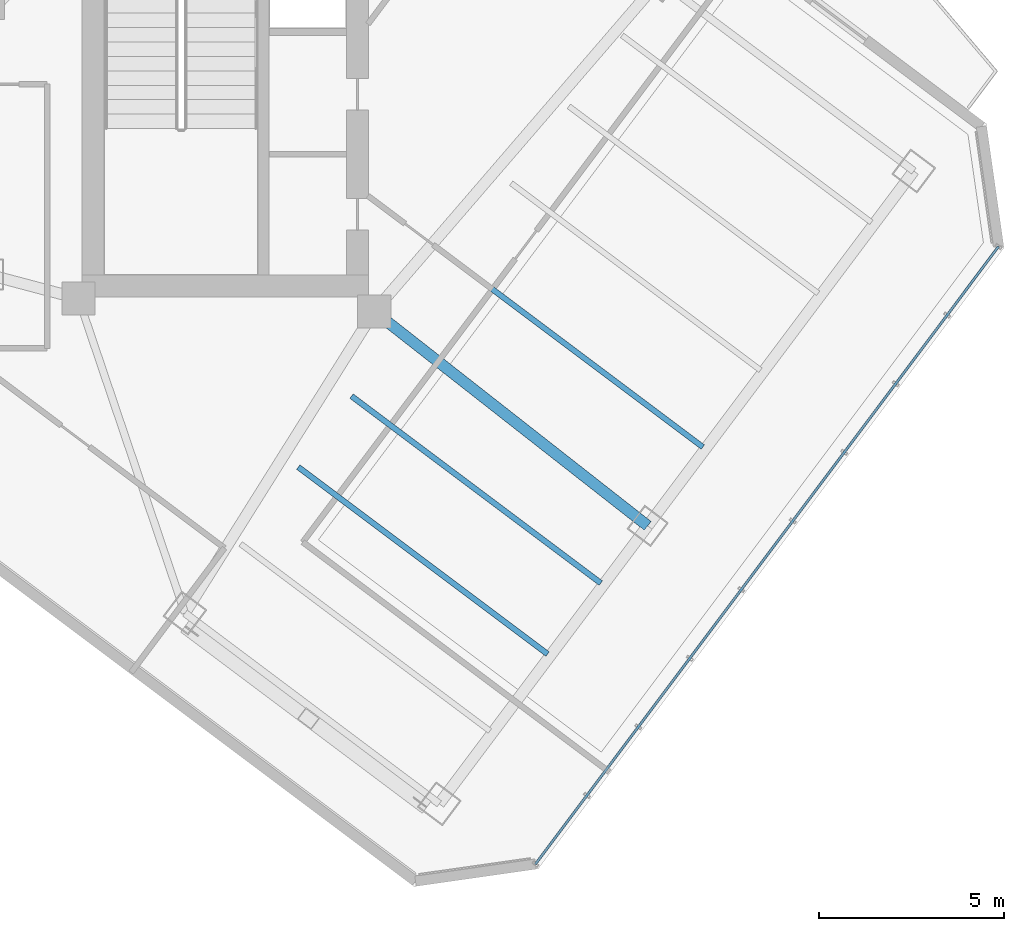
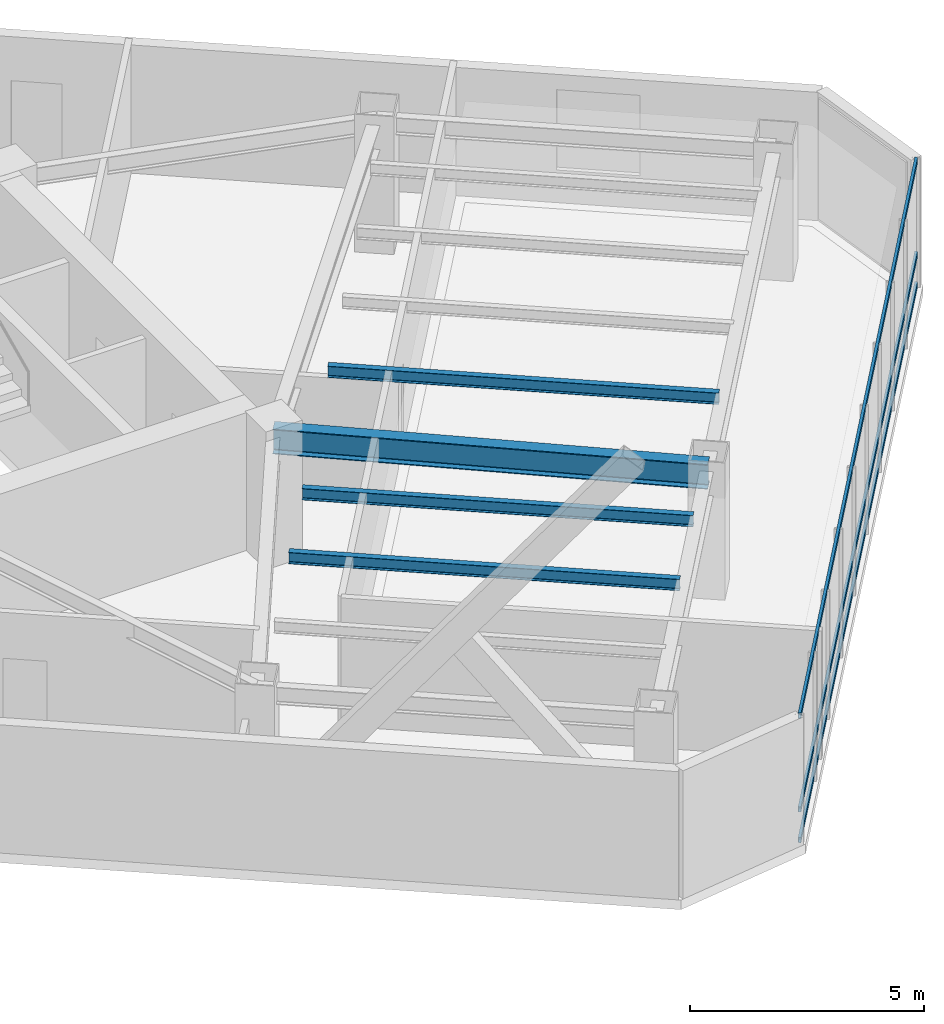
# One storey, part 12 of 26: 4 beams, 3 members, 1 element without a shape of its own.
"""IFC4 building model written with IfcOpenShell, lengths in metres."""

import ifcopenshell
import ifcopenshell.guid

model = None  # the IFC model being written
_history = None  # IfcOwnerHistory: only IFC2X3 demands one
_inside = {}  # id of a spatial element -> (the spatial element, [elements in it])
_under = {}  # id of a project, library or spatial element -> (it, [spatial elements below it])
_declared = {}  # id of a project -> (the project, [libraries it declares])
_typed = {}  # id of a type object -> (the type object, [elements of that type])
_made_of = {}  # id of a material, layer set ... -> (it, [elements and type objects made of it])


def new_model(schema):
    """Start an empty IFC model of exactly this schema.

    Asked for "IFC4X3", IfcOpenShell would pick the latest addendum, in which some entities
    have other attributes; the version numbers below select the first issue.
    IFC2X3 requires an IfcOwnerHistory on every rooted entity: one is made here for all.
    """
    global model, _history
    if schema == "IFC4X3":
        model = ifcopenshell.file(schema_version=(4, 3, 0, 0))
    else:
        model = ifcopenshell.file(schema=schema)
    _inside.clear()
    _under.clear()
    _declared.clear()
    _typed.clear()
    _made_of.clear()
    _history = None
    if model.schema == "IFC2X3":
        org = make("IfcOrganization", Name="unknown")
        user = make(
            "IfcPersonAndOrganization",
            ThePerson=make("IfcPerson", FamilyName="unknown"),
            TheOrganization=org,
        )
        app = make(
            "IfcApplication",
            ApplicationDeveloper=org,
            Version="unknown",
            ApplicationFullName="unknown",
            ApplicationIdentifier="unknown",
        )
        _history = make(
            "IfcOwnerHistory",
            OwningUser=user,
            OwningApplication=app,
            ChangeAction="ADDED",
            CreationDate=0,
        )
    return model


def make(cls, **values):
    """One entity of the class cls with the attributes given. An attribute that is None is left unset."""
    return model.create_entity(
        cls, **{name: value for name, value in values.items() if value is not None}
    )


def rooted(cls, **values):
    """An entity with a GlobalId (a new one), such as an element, a storey or a relation."""
    return make(cls, GlobalId=ifcopenshell.guid.new(), OwnerHistory=_history, **values)


def si_unit(unit_type, name, prefix=None):
    """IfcSIUnit, for example si_unit("LENGTHUNIT", "METRE", prefix="MILLI")."""
    return make("IfcSIUnit", UnitType=unit_type, Prefix=prefix, Name=name)


def assignment(units):
    """IfcUnitAssignment: the units of a project."""
    return None if units is None else make("IfcUnitAssignment", Units=units)


def point(xyz):
    """IfcCartesianPoint."""
    return None if xyz is None else make("IfcCartesianPoint", Coordinates=xyz)


def direction(xyz):
    """IfcDirection."""
    return None if xyz is None else make("IfcDirection", DirectionRatios=xyz)


def frame(location, z_axis=None, x_axis=None):
    """IfcAxis2Placement3D, a coordinate frame: its origin and axes. An axis left out is left unset."""
    return make(
        "IfcAxis2Placement3D",
        Location=point(location),
        Axis=direction(z_axis),
        RefDirection=direction(x_axis),
    )


def frame_2d(location, x_axis=None):
    """IfcAxis2Placement2D, a coordinate frame in the plane: its origin and x axis."""
    return make(
        "IfcAxis2Placement2D", Location=point(location), RefDirection=direction(x_axis)
    )


def origin():
    """The frame at (0, 0, 0) with its axes left unset."""
    return frame((0.0, 0.0, 0.0))


def origin_2d():
    """The frame at (0, 0) in the plane with its x axis left unset."""
    return frame_2d((0.0, 0.0))


def place(relative_to, where):
    """IfcLocalPlacement: puts the frame where relative to a parent placement (None: the world)."""
    return make(
        "IfcLocalPlacement", PlacementRelTo=relative_to, RelativePlacement=where
    )


def context(
    kind, dimensions, precision=None, world=None, true_north=None, identifier=None
):
    """IfcGeometricRepresentationContext, for example the 3D "Model" context."""
    return make(
        "IfcGeometricRepresentationContext",
        ContextIdentifier=identifier,
        ContextType=kind,
        CoordinateSpaceDimension=dimensions,
        Precision=precision,
        WorldCoordinateSystem=world,
        TrueNorth=true_north,
    )


def subcontext(parent, identifier, kind, view, scale=None):
    """IfcGeometricRepresentationSubContext, for example "Body" below "Model"."""
    return make(
        "IfcGeometricRepresentationSubContext",
        ContextIdentifier=identifier,
        ContextType=kind,
        ParentContext=parent,
        TargetScale=scale,
        TargetView=view,
    )


def project(units=None, contexts=None):
    """IfcProject with its units and contexts."""
    return rooted(
        "IfcProject",
        Name="project",
        RepresentationContexts=contexts,
        UnitsInContext=assignment(units),
    )


def spatial(cls, under=None, at=None, **own):
    """A site, building, storey or space (cls), placed at a placement, below another one or the project."""
    s = rooted(cls, ObjectPlacement=at, **own)
    if under is not None:
        _under.setdefault(under.id(), (under, []))[1].append(s)
    return s


def profile(cls, at=None, kind="AREA", **sizes):
    """A parametric profile (cls). Its sizes go by their IFC names, for example OverallWidth=200.0."""
    return make(cls, ProfileType=kind, Position=at, **sizes)


def hollow_rectangle(**sizes):
    """IfcRectangleHollowProfileDef."""
    return profile("IfcRectangleHollowProfileDef", **sizes)


def i_section(**sizes):
    """IfcIShapeProfileDef."""
    return profile("IfcIShapeProfileDef", **sizes)


def extrude(swept, where, along, depth):
    """IfcExtrudedAreaSolid: the profile swept, set in the frame where, extruded along a direction by depth."""
    return make(
        "IfcExtrudedAreaSolid",
        SweptArea=swept,
        Position=where,
        ExtrudedDirection=direction(along),
        Depth=depth,
    )


def shape(context_of_items, identifier, shape_type, items):
    """IfcShapeRepresentation: the items that make up one representation, for example the "Body"."""
    return make(
        "IfcShapeRepresentation",
        ContextOfItems=context_of_items,
        RepresentationIdentifier=identifier,
        RepresentationType=shape_type,
        Items=items,
    )


def material(Name=None, Category=None):
    """IfcMaterial."""
    return make("IfcMaterial", Name=Name, Category=Category)


def layer(
    of_material, thickness, ventilated=None, Name=None, Category=None, Priority=None
):
    """IfcMaterialLayer: one layer of a wall or slab, of a material (None: an air gap)."""
    return make(
        "IfcMaterialLayer",
        Material=of_material,
        LayerThickness=thickness,
        IsVentilated=ventilated,
        Name=Name,
        Category=Category,
        Priority=Priority,
    )


def layer_set(layers, Name=None):
    """IfcMaterialLayerSet."""
    return make("IfcMaterialLayerSet", MaterialLayers=layers, LayerSetName=Name)


def material_profile(
    of_material, cross_section, Name=None, Category=None, Priority=None
):
    """IfcMaterialProfile: a cross section and its material."""
    return make(
        "IfcMaterialProfile",
        Name=Name,
        Material=of_material,
        Profile=cross_section,
        Priority=Priority,
        Category=Category,
    )


def profile_set(profiles, Name=None, composite=None):
    """IfcMaterialProfileSet."""
    return make(
        "IfcMaterialProfileSet",
        Name=Name,
        MaterialProfiles=profiles,
        CompositeProfile=composite,
    )


def made_of(thing, what):
    """Note that an element or type object is made of a material, layer set ...; save() writes the relation."""
    if what is not None:
        _made_of.setdefault(what.id(), (what, []))[1].append(thing)
    return thing


def type_object(cls, material=None, **own):
    """A type object (cls), such as IfcWallType, which elements share."""
    return made_of(rooted(cls, **own), material)


def element(
    cls,
    number,
    at=None,
    inside=None,
    cuts=None,
    type_object=None,
    material=None,
    context=None,
    identifier="Body",
    shape_type=None,
    held_by="IfcProductDefinitionShape",
    body=None,
    shapes=None,
    **own,
):
    """One element of the class cls, such as IfcWall. Its Tag is "e" and its number.

    at: its placement. inside: the storey or other place that contains it. cuts: it is an
    opening in that element (IfcRelVoidsElement). A single representation is given by context,
    identifier, shape_type and body (its items); several are given by shapes. held_by: the class
    of the entity that holds the representations. save() writes the other relations.
    """
    e = rooted(cls, Tag="e%d" % number, ObjectPlacement=at, **own)
    if body is not None:
        shapes = [shape(context, identifier, shape_type, body)]
    if shapes is not None:
        e.Representation = make(held_by, Representations=shapes)
    if inside is not None:
        _inside.setdefault(inside.id(), (inside, []))[1].append(e)
    if cuts is not None:
        rooted(
            "IfcRelVoidsElement", RelatingBuildingElement=cuts, RelatedOpeningElement=e
        )
    if type_object is not None:
        _typed.setdefault(type_object.id(), (type_object, []))[1].append(e)
    return made_of(e, material)


def aggregate(whole, parts):
    """IfcRelAggregates: a whole, such as a stair, and the parts it consists of."""
    return rooted("IfcRelAggregates", RelatingObject=whole, RelatedObjects=parts)


def save(model, path):
    """Write the relations noted so far, then the file.

    IfcRelAggregates (storeys below a building ...), IfcRelContainedInSpatialStructure (elements
    in a storey), IfcRelDefinesByType, IfcRelAssociatesMaterial and IfcRelDeclares: one each for
    every whole, place, type object, material and project.
    """
    for whole, parts in _under.values():
        aggregate(whole, parts)
    for where, things in _inside.values():
        rooted(
            "IfcRelContainedInSpatialStructure",
            RelatedElements=things,
            RelatingStructure=where,
        )
    for kind, things in _typed.values():
        rooted("IfcRelDefinesByType", RelatedObjects=things, RelatingType=kind)
    for what, things in _made_of.values():
        rooted("IfcRelAssociatesMaterial", RelatedObjects=things, RelatingMaterial=what)
    for by, libraries in _declared.values():
        rooted("IfcRelDeclares", RelatingContext=by, RelatedDefinitions=libraries)
    model.write(path)


model = new_model("IFC4")

# Units and contexts
model_context = context("Model", 3, precision=1e-05, world=origin(), true_north=direction((0.0, 1.0)))
body_context = subcontext(model_context, "Body", "Model", "MODEL_VIEW")
ifc_project = project(units=[si_unit("LENGTHUNIT", "METRE"), si_unit("AREAUNIT", "SQUARE_METRE"), si_unit("VOLUMEUNIT", "CUBIC_METRE"), si_unit("PLANEANGLEUNIT", "RADIAN"), si_unit("MASSUNIT", "GRAM", prefix="KILO")], contexts=[model_context])

# Site, building, storey
site_placement = place(None, origin())
site = spatial("IfcSite", under=ifc_project, at=site_placement, CompositionType="ELEMENT")
building_placement = place(site_placement, origin())
building = spatial("IfcBuilding", under=site, at=building_placement, Name="Hatsunagi Terrace Concourse", CompositionType="ELEMENT")
storey_placement = place(building_placement, frame((0.0, 0.0, 134.85009765625)))
storey = spatial("IfcBuildingStorey", under=building, at=storey_placement, Name="L35", CompositionType="ELEMENT", Elevation=134.85009765625)

# Curtain wall, members
ifc_material_1 = material(Name="Anodised Aluminium Alloy 6063-T5", Category="aluminium")
ifc_layer = layer(ifc_material_1, 0.199951171875)
ifc_layer_set = layer_set([ifc_layer], Name="OfficeZone1_CW03")
curtain_wall_type = type_object("IfcCurtainWallType", Name="OfficeZone1_CW03", PredefinedType="NOTDEFINED", material=ifc_layer_set)
curtain_wall_placement = place(storey_placement, origin())
curtain_wall = element("IfcCurtainWall", 1, at=curtain_wall_placement, inside=storey, type_object=curtain_wall_type, Name="Unitised Curtain Wall CW-03 CW-L35-03", PredefinedType="NOTDEFINED")
ifc_material_2 = material(Name="Anodised Aluminium Alloy 6063-T5", Category="aluminium")
ifc_material_profile_1 = material_profile(ifc_material_2, hollow_rectangle(XDim=0.06494140625, YDim=0.139892578125, WallThickness=0.00390625, at=origin_2d()), Name="ALU-TRN-140x65x4")
ifc_profile_set_1 = profile_set([ifc_material_profile_1], Name="Anodised Aluminium Alloy 6063-T5")
member_type = type_object("IfcMemberType", Name="CurtainWallTransom_140x65", PredefinedType="USERDEFINED", material=ifc_profile_set_1)
member_1_placement = place(storey_placement, frame((60.693115234375, 25.9580078125, 0.0498046875), z_axis=(-0.599970072971, -0.800022444397, 0.0), x_axis=(0.800022444397, -0.599970072971, 0.0)))
member_1 = element("IfcMember", 2, at=member_1_placement, type_object=member_type, Name="Curtain Wall Transom TRN-02", ObjectType="TRANSOM", PredefinedType="USERDEFINED", context=body_context, shape_type="SweptSolid", body=[
    extrude(hollow_rectangle(XDim=0.06494140625, YDim=0.139892578125, WallThickness=0.00390625, at=origin_2d()), origin(), (0.0, 0.0, 1.0), 20.884521484375),
])
member_2_placement = place(storey_placement, frame((60.693115234375, 25.9580078125, 0.849853515625), z_axis=(-0.599970072971, -0.800022444397, 0.0), x_axis=(0.800022444397, -0.599970072971, 0.0)))
member_2 = element("IfcMember", 3, at=member_2_placement, type_object=member_type, Name="Curtain Wall Transom TRN-02", ObjectType="TRANSOM", PredefinedType="USERDEFINED", context=body_context, shape_type="SweptSolid", body=[
    extrude(hollow_rectangle(XDim=0.06494140625, YDim=0.139892578125, WallThickness=0.00390625, at=origin_2d()), origin(), (0.0, 0.0, 1.0), 20.884521484375),
])
member_3_placement = place(storey_placement, frame((60.693115234375, 25.9580078125, 3.2998046875), z_axis=(-0.599970072971, -0.800022444397, 0.0), x_axis=(0.800022444397, -0.599970072971, 0.0)))
member_3 = element("IfcMember", 4, at=member_3_placement, type_object=member_type, Name="Curtain Wall Transom TRN-02", ObjectType="TRANSOM", PredefinedType="USERDEFINED", context=body_context, shape_type="SweptSolid", body=[
    extrude(hollow_rectangle(XDim=0.06494140625, YDim=0.139892578125, WallThickness=0.00390625, at=origin_2d()), origin(), (0.0, 0.0, 1.0), 20.884521484375),
])
aggregate(curtain_wall, [member_1, member_2, member_3])

# Beams
ifc_material_3 = material(Name="Steel SN490B", Category="steel")
ifc_material_profile_2 = material_profile(ifc_material_3, i_section(OverallWidth=0.14990234375, OverallDepth=0.300048828125, WebThickness=0.006591796875, FlangeThickness=0.009033203125, FilletRadius=0.010986328125, at=origin_2d()), Name="H-300x150x6.5x9")
ifc_profile_set_2 = profile_set([ifc_material_profile_2], Name="Steel SN490B")
beam_type_1 = type_object("IfcBeamType", Name="OfficeJoist_H_300x150", PredefinedType="JOIST", material=ifc_profile_set_2)
for number, where, z_axis, x_axis, name in (
    (5, (41.748046875, 19.989013671875, 3.199951171875), (0.799989573921, -0.600013901187, 0.0), (0.600013901187, 0.799989573921, 0.0), "Beam J-03 J-L35-SE-2-72"),
    (6, (43.18798828125, 21.908935546875, 3.199951171875), (0.800003475366, -0.59999536615, 0.0), (0.59999536615, 0.800003475366, 0.0), "Beam J-03 J-L35-SE-2-96"),
    (7, (45.947998046875, 25.589111328125, 3.199951171875), (0.799989573921, -0.600013901187, 0.0), (0.600013901187, 0.799989573921, 0.0), "Beam J-03 J-L35-SE-2-142"),
):
    element("IfcBeam", number, at=place(storey_placement, frame(where, z_axis=z_axis, x_axis=x_axis)), inside=storey, type_object=beam_type_1, Name=name, PredefinedType="JOIST", context=body_context, shape_type="SweptSolid", body=[
        extrude(i_section(OverallWidth=0.14990234375, OverallDepth=0.300048828125, WebThickness=0.006591796875, FlangeThickness=0.009033203125, FilletRadius=0.010986328125, at=origin_2d()), origin(), (0.0, 0.0, 1.0), 8.429931640625),
    ])
ifc_material_4 = material(Name="Steel SN490B", Category="steel")
ifc_material_profile_3 = material_profile(ifc_material_4, i_section(OverallWidth=0.300048828125, OverallDepth=0.64990234375, WebThickness=0.012939453125, FlangeThickness=0.02197265625, FilletRadius=0.01806640625, at=origin_2d()), Name="H-650x300x13x22")
ifc_profile_set_3 = profile_set([ifc_material_profile_3], Name="Steel SN490B")
beam_type_2 = type_object("IfcBeamType", Name="OfficeLowGirder_H_650x300", PredefinedType="BEAM", material=ifc_profile_set_3)
beam_placement = place(storey_placement, frame((43.800048828125, 24.199951171875, 3.02490234375), z_axis=(0.787049441068, -0.616889923175, 0.0), x_axis=(0.616889923175, 0.787049441068, 0.0)))
element("IfcBeam", 8, at=beam_placement, inside=storey, type_object=beam_type_2, Name="Beam G-05 BM-L35-SE-M2", PredefinedType="BEAM", context=body_context, shape_type="SweptSolid", body=[
    extrude(i_section(OverallWidth=0.300048828125, OverallDepth=0.64990234375, WebThickness=0.012939453125, FlangeThickness=0.02197265625, FilletRadius=0.01806640625, at=origin_2d()), origin(), (0.0, 0.0, 1.0), 9.402099609375),
])

save(model, "model.ifc")
